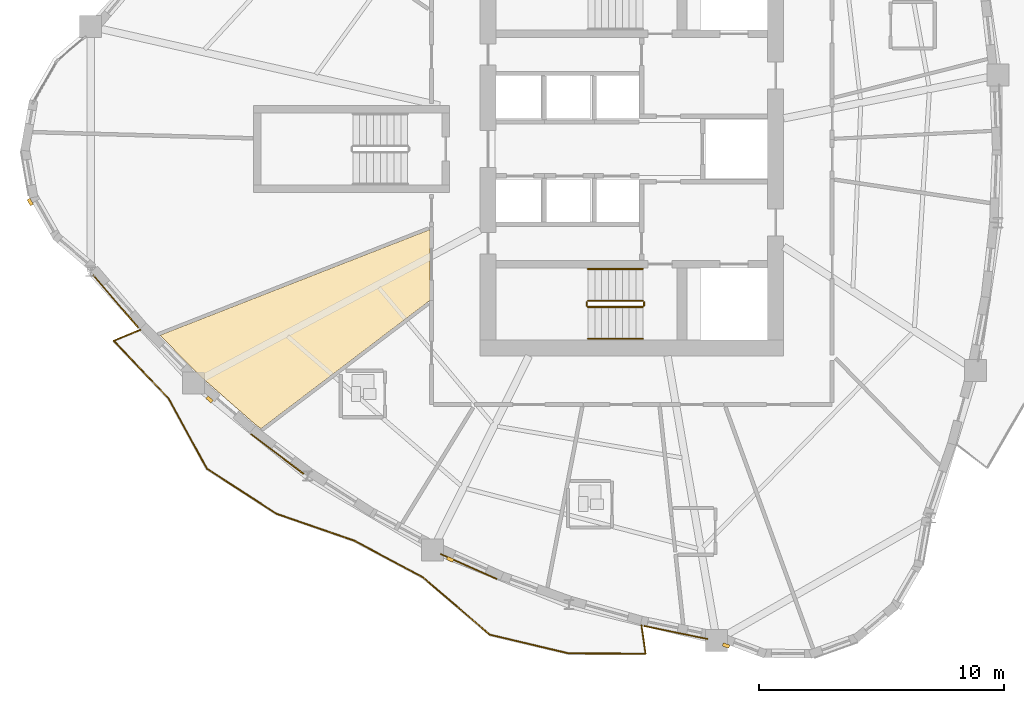
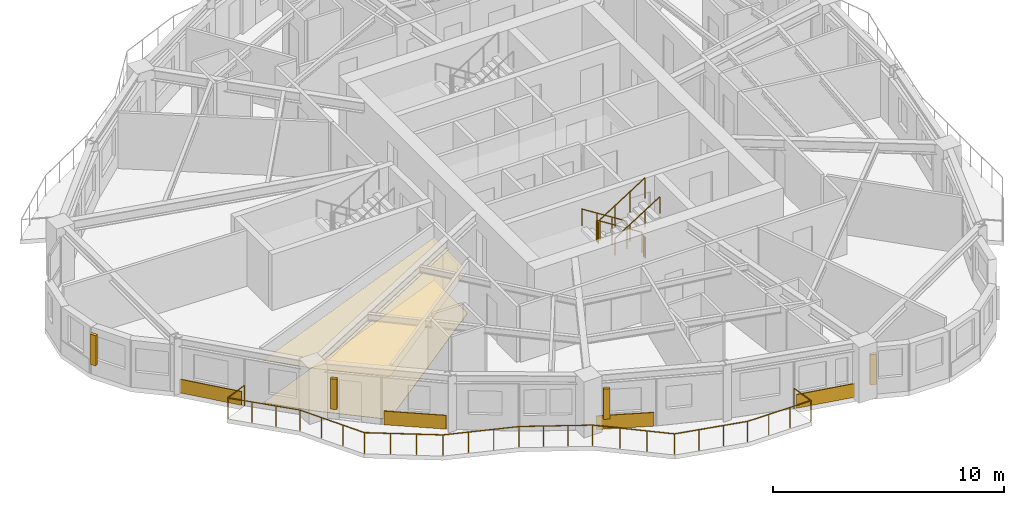
# One storey, part 11 of 14: 7 railings, 6 coverings, 4 shading devices.
"""IFC4 building model written with IfcOpenShell, lengths in metres."""

from ifc_helpers import new_model, si_unit, direction, frame, origin, origin_2d, place, context, subcontext, project, spatial, polyline, rectangle, circle, outline, extrude, source, transform, mapped, material, layer, layer_set, type_object, element, save


model = new_model("IFC4")

# Units and contexts
model_context = context("Model", 3, precision=1e-05, world=origin(), true_north=direction((0.0, 1.0)))
body_context = subcontext(model_context, "Body", "Model", "MODEL_VIEW")
ifc_project = project(units=[si_unit("LENGTHUNIT", "METRE"), si_unit("AREAUNIT", "SQUARE_METRE"), si_unit("VOLUMEUNIT", "CUBIC_METRE"), si_unit("PLANEANGLEUNIT", "RADIAN"), si_unit("MASSUNIT", "GRAM", prefix="KILO")], contexts=[model_context])

# Site, building, storey
site_placement = place(None, origin())
site = spatial("IfcSite", under=ifc_project, at=site_placement, CompositionType="ELEMENT")
building_placement = place(site_placement, origin())
building = spatial("IfcBuilding", under=site, at=building_placement, Name="Qafzar Sky-Pleat Residences", CompositionType="ELEMENT")
storey_placement = place(building_placement, frame((0.0, 0.0, 73.60009765625)))
storey = spatial("IfcBuildingStorey", under=building, at=storey_placement, Name="L21", CompositionType="ELEMENT", Elevation=73.60009765625)

# Coverings
ifc_material_1 = material(Name="Perforated acoustic gypsum board ceiling")
ifc_layer_1 = layer(ifc_material_1, 0.02001953125)
ifc_layer_set_1 = layer_set([ifc_layer_1], Name="Perforated acoustic gypsum board ceiling")
covering_type_1 = type_object("IfcCoveringType", Name="COV-CEIL-ACOUSTIC", PredefinedType="CEILING", material=ifc_layer_set_1)
covering_1_placement = place(storey_placement, frame((0.0, 0.0, 2.239990234375)))
element("IfcCovering", 1, at=covering_1_placement, inside=storey, type_object=covering_type_1, Name="L21 Common Dining Room Acoustic Ceiling", PredefinedType="CEILING", context=body_context, shape_type="SweptSolid", body=[
    extrude(outline(polyline([(14.973876953125, 14.75439453125), (12.726318359375, 16.727294921875), (11.08349609375, 18.393798828125), (22.110107421875, 22.710205078125), (22.110107421875, 19.818603515625), (15.2080078125, 14.57763671875), (14.973876953125, 14.75439453125)])), origin(), (0.0, 0.0, 1.0), 0.02001953125),
])
ifc_material_2 = material(Name="Honed porcelain and Riyadh stone tile flooring", Category="masonry")
ifc_layer_2 = layer(ifc_material_2, 0.02001953125)
ifc_layer_set_2 = layer_set([ifc_layer_2], Name="Honed porcelain and Riyadh stone tile flooring")
covering_type_2 = type_object("IfcCoveringType", Name="COV-FLR-PORCELAIN", PredefinedType="FLOORING", material=ifc_layer_set_2)
covering_2_placement = place(storey_placement, origin())
element("IfcCovering", 2, at=covering_2_placement, inside=storey, type_object=covering_type_2, Name="L21 Common Dining Room Honed Stone Flooring", PredefinedType="FLOORING", context=body_context, shape_type="SweptSolid", body=[
    extrude(outline(polyline([(14.973876953125, 14.75439453125), (12.726318359375, 16.727294921875), (11.08349609375, 18.393798828125), (22.110107421875, 22.710205078125), (22.110107421875, 19.818603515625), (15.2080078125, 14.57763671875), (14.973876953125, 14.75439453125)])), origin(), (0.0, 0.0, 1.0), 0.02001953125),
])

# Shading devices
ifc_material_3 = material(Name="Honed Riyadh limestone solar fin", Category="masonry")
ifc_layer_3 = layer(ifc_material_3, 0.139892578125)
ifc_layer_set_3 = layer_set([ifc_layer_3], Name="Honed Riyadh limestone solar fin")
shading_device_type = type_object("IfcShadingDeviceType", Name="SHD-FIN-STONE", PredefinedType="SHUTTER", material=ifc_layer_set_3)
shared_shape_1 = source(origin(), body_context, "Body", "SweptSolid", [
    extrude(rectangle(XDim=0.139892578125, YDim=0.280029296875, at=origin_2d()), origin(), (0.0, 0.0, 1.0), 1.60009765625),
])
for number, where, z_axis, x_axis, name in (
    (3, (5.78466796875, 23.83251953125, 0.599853515625), (0.0, 0.0, 1.0), (-0.868289358176, -0.49605805152, 0.0), "L21 Limestone Solar Fin 5"),
    (4, (13.108642578125, 15.77294921875, 0.599853515625), (0.0, 0.0, 1.0), (-0.659704031974, -0.751525508681, 0.0), "L21 Limestone Solar Fin 9"),
    (5, (22.9345703125, 9.24169921875, 0.599853515625), (0.0, 0.0, 1.0), (-0.406986553013, -0.913434149606, 0.0), "L21 Limestone Solar Fin 13"),
    (6, (34.197509765625, 5.724365234375, 0.599853515625), (0.0, 0.0, 1.0), (-0.349795816618, -0.936825963921, 0.0), "L21 Limestone Solar Fin 17"),
):
    element("IfcShadingDevice", number, at=place(storey_placement, frame(where, z_axis=z_axis, x_axis=x_axis)), inside=storey, type_object=shading_device_type, Name=name, PredefinedType="SHUTTER", context=body_context, shape_type="MappedRepresentation", body=[
        mapped(shared_shape_1, transform((0.0, 0.0, 0.0), x_axis=(1.0, 0.0, 0.0), y_axis=(0.0, 1.0, 0.0), z_axis=(0.0, 0.0, 1.0), scale=1.0)),
    ])

# Railing
ifc_material_4 = material(Name="Laminated glass and bronze steel balustrade", Category="steel")
railing_type_1 = type_object("IfcRailingType", Name="RAIL-BAL-1100", PredefinedType="BALUSTRADE", material=ifc_material_4)
shared_shape_2 = source(origin(), body_context, "Body", "SweptSolid", [
    extrude(circle(Radius=0.02392578125, at=origin_2d()), frame((0.0, 0.0, 1.076171875), z_axis=(-0.923064659651, -0.384644815517, 0.0), x_axis=(0.384644815517, -0.923064659651, 0.0)), (0.0, 0.0, 1.0), 1.177978515625),
    extrude(circle(Radius=0.02392578125, at=origin_2d()), frame((-1.08740234375, -0.453125, 1.076171875), z_axis=(0.689608250785, -0.724182615402, 0.0), x_axis=(0.724182615402, 0.689608250785, 0.0)), (0.0, 0.0, 1.0), 3.248291015625),
    extrude(circle(Radius=0.02392578125, at=origin_2d()), frame((1.152587890625, -2.805419921875, 1.076171875), z_axis=(0.478139425379, -0.878283946055, 0.0), x_axis=(0.878283946055, 0.478139425379, 0.0)), (0.0, 0.0, 1.0), 3.264892578125),
    extrude(circle(Radius=0.02392578125, at=origin_2d()), frame((2.713623046875, -5.6728515625, 1.076171875), z_axis=(0.839786399163, -0.542916940038, 0.0), x_axis=(0.542916940038, 0.839786399163, 0.0)), (0.0, 0.0, 1.0), 3.3916015625),
    extrude(circle(Radius=0.02392578125, at=origin_2d()), frame((5.561767578125, -7.51416015625, 1.076171875), z_axis=(0.944911742668, -0.327325218349, 0.0), x_axis=(0.327325218349, 0.944911742668, 0.0)), (0.0, 0.0, 1.0), 3.359375),
    extrude(circle(Radius=0.02392578125, at=origin_2d()), frame((8.736083984375, -8.61376953125, 1.076171875), z_axis=(0.882214448955, -0.470847816237, 0.0), x_axis=(0.470847816237, 0.882214448955, 0.0)), (0.0, 0.0, 1.0), 3.1728515625),
    extrude(circle(Radius=0.02392578125, at=origin_2d()), frame((11.53515625, -10.107666015625, 1.076171875), z_axis=(0.759314052168, -0.650724342698, 0.0), x_axis=(0.650724342698, 0.759314052168, 0.0)), (0.0, 0.0, 1.0), 3.599609375),
    extrude(circle(Radius=0.02392578125, at=origin_2d()), frame((14.268310546875, -12.449951171875, 1.076171875), z_axis=(0.972967941431, -0.230940219424, 0.0), x_axis=(0.230940219424, 0.972967941431, 0.0)), (0.0, 0.0, 1.0), 3.29931640625),
    extrude(circle(Radius=0.02392578125, at=origin_2d()), frame((17.478515625, -13.2119140625, 1.076171875), z_axis=(0.999988425304, -0.004811367559, 0.0), x_axis=(0.004811367559, 0.999988425304, 0.0)), (0.0, 0.0, 1.0), 3.14599609375),
    extrude(circle(Radius=0.02392578125, at=origin_2d()), frame((20.62451171875, -13.22705078125, 1.076171875), z_axis=(-0.139912212817, 0.990163912039, 0.0), x_axis=(-0.990163912039, -0.139912212817, 0.0)), (0.0, 0.0, 1.0), 1.177734375),
    extrude(circle(Radius=0.02099609375, at=origin_2d()), origin(), (0.0, 0.0, 1.0), 1.052001953125),
    extrude(circle(Radius=0.02099609375, at=origin_2d()), frame((-1.08740234375, -0.453125, 0.0)), (0.0, 0.0, 1.0), 1.052001953125),
    extrude(circle(Radius=0.02099609375, at=origin_2d()), frame((-0.3408203125, -1.2373046875, 0.0)), (0.0, 0.0, 1.0), 1.052001953125),
    extrude(circle(Radius=0.02099609375, at=origin_2d()), frame((0.406005859375, -2.021240234375, 0.0)), (0.0, 0.0, 1.0), 1.052001953125),
    extrude(circle(Radius=0.02099609375, at=origin_2d()), frame((1.152587890625, -2.805419921875, 0.0)), (0.0, 0.0, 1.0), 1.052001953125),
    extrude(circle(Radius=0.02099609375, at=origin_2d()), frame((1.6728515625, -3.76123046875, 0.0)), (0.0, 0.0, 1.0), 1.052001953125),
    extrude(circle(Radius=0.02099609375, at=origin_2d()), frame((2.193359375, -4.717041015625, 0.0)), (0.0, 0.0, 1.0), 1.052001953125),
    extrude(circle(Radius=0.02099609375, at=origin_2d()), frame((2.713623046875, -5.6728515625, 0.0)), (0.0, 0.0, 1.0), 1.052001953125),
    extrude(circle(Radius=0.02099609375, at=origin_2d()), frame((3.6630859375, -6.28662109375, 0.0)), (0.0, 0.0, 1.0), 1.052001953125),
    extrude(circle(Radius=0.02099609375, at=origin_2d()), frame((4.6123046875, -6.900390625, 0.0)), (0.0, 0.0, 1.0), 1.052001953125),
    extrude(circle(Radius=0.02099609375, at=origin_2d()), frame((5.561767578125, -7.51416015625, 0.0)), (0.0, 0.0, 1.0), 1.052001953125),
    extrude(circle(Radius=0.02099609375, at=origin_2d()), frame((6.619873046875, -7.880615234375, 0.0)), (0.0, 0.0, 1.0), 1.052001953125),
    extrude(circle(Radius=0.02099609375, at=origin_2d()), frame((7.677978515625, -8.247314453125, 0.0)), (0.0, 0.0, 1.0), 1.052001953125),
    extrude(circle(Radius=0.02099609375, at=origin_2d()), frame((8.736083984375, -8.61376953125, 0.0)), (0.0, 0.0, 1.0), 1.052001953125),
    extrude(circle(Radius=0.02099609375, at=origin_2d()), frame((9.669189453125, -9.11181640625, 0.0)), (0.0, 0.0, 1.0), 1.052001953125),
    extrude(circle(Radius=0.02099609375, at=origin_2d()), frame((10.60205078125, -9.609619140625, 0.0)), (0.0, 0.0, 1.0), 1.052001953125),
    extrude(circle(Radius=0.02099609375, at=origin_2d()), frame((11.53515625, -10.107666015625, 0.0)), (0.0, 0.0, 1.0), 1.052001953125),
    extrude(circle(Radius=0.02099609375, at=origin_2d()), frame((12.4462890625, -10.888427734375, 0.0)), (0.0, 0.0, 1.0), 1.052001953125),
    extrude(circle(Radius=0.02099609375, at=origin_2d()), frame((13.357177734375, -11.669189453125, 0.0)), (0.0, 0.0, 1.0), 1.052001953125),
    extrude(circle(Radius=0.02099609375, at=origin_2d()), frame((14.268310546875, -12.449951171875, 0.0)), (0.0, 0.0, 1.0), 1.052001953125),
    extrude(circle(Radius=0.02099609375, at=origin_2d()), frame((15.33837890625, -12.703857421875, 0.0)), (0.0, 0.0, 1.0), 1.052001953125),
    extrude(circle(Radius=0.02099609375, at=origin_2d()), frame((16.408447265625, -12.9580078125, 0.0)), (0.0, 0.0, 1.0), 1.052001953125),
    extrude(circle(Radius=0.02099609375, at=origin_2d()), frame((17.478515625, -13.2119140625, 0.0)), (0.0, 0.0, 1.0), 1.052001953125),
    extrude(circle(Radius=0.02099609375, at=origin_2d()), frame((18.527099609375, -13.217041015625, 0.0)), (0.0, 0.0, 1.0), 1.052001953125),
    extrude(circle(Radius=0.02099609375, at=origin_2d()), frame((19.575927734375, -13.221923828125, 0.0)), (0.0, 0.0, 1.0), 1.052001953125),
    extrude(circle(Radius=0.02099609375, at=origin_2d()), frame((20.62451171875, -13.22705078125, 0.0)), (0.0, 0.0, 1.0), 1.052001953125),
    extrude(circle(Radius=0.02099609375, at=origin_2d()), frame((20.459716796875, -12.060791015625, 0.0)), (0.0, 0.0, 1.0), 1.052001953125),
])
railing_1_placement = place(storey_placement, frame((10.285400390625, 18.6181640625, 0.0)))
element("IfcRailing", 7, at=railing_1_placement, inside=storey, type_object=railing_type_1, Name="L21 Pleated Balcony 3 Balustrade", PredefinedType="BALUSTRADE", context=body_context, shape_type="MappedRepresentation", body=[
    mapped(shared_shape_2, transform((0.0, 0.0, 0.0), x_axis=(1.0, 0.0, 0.0), y_axis=(0.0, 1.0, 0.0), z_axis=(0.0, 0.0, 1.0), scale=1.0)),
])

# Coverings
ifc_material_5 = material(Name="Honed Riyadh Tuwaiq limestone cladding", Category="masonry")
ifc_layer_4 = layer(ifc_material_5, 0.044921875)
ifc_layer_set_4 = layer_set([ifc_layer_4], Name="Honed Riyadh Tuwaiq limestone cladding")
covering_type_3 = type_object("IfcCoveringType", Name="COV-CLAD-STONE", PredefinedType="CLADDING", material=ifc_layer_set_4)
shared_shape_3 = source(origin(), body_context, "Body", "SweptSolid", [
    extrude(rectangle(XDim=2.83837890625, YDim=0.044921875, at=origin_2d()), origin(), (0.0, 0.0, 1.0), 0.719970703125),
])
covering_3_placement = place(storey_placement, frame((9.2783203125, 19.776611328125, 0.02001953125), z_axis=(0.0, 0.0, 1.0), x_axis=(0.65076787103, -0.759276746671, 0.0)))
element("IfcCovering", 8, at=covering_3_placement, inside=storey, type_object=covering_type_3, Name="L21 Riyadh Limestone Spandrel Cladding 7", PredefinedType="CLADDING", context=body_context, shape_type="MappedRepresentation", body=[
    mapped(shared_shape_3, transform((0.0, 0.0, 0.0), x_axis=(1.0, 0.0, 0.0), y_axis=(0.0, 1.0, 0.0), z_axis=(0.0, 0.0, 1.0), scale=1.0)),
])
shared_shape_4 = source(origin(), body_context, "Body", "SweptSolid", [
    extrude(rectangle(XDim=2.70361328125, YDim=0.044921875, at=origin_2d()), origin(), (0.0, 0.0, 1.0), 0.719970703125),
])
covering_4_placement = place(storey_placement, frame((15.876708984375, 13.544921875, 0.02001953125), z_axis=(0.0, 0.0, 1.0), x_axis=(0.798395365386, -0.602133573661, 0.0)))
element("IfcCovering", 9, at=covering_4_placement, inside=storey, type_object=covering_type_3, Name="L21 Riyadh Limestone Spandrel Cladding 10", PredefinedType="CLADDING", context=body_context, shape_type="MappedRepresentation", body=[
    mapped(shared_shape_4, transform((0.0, 0.0, 0.0), x_axis=(1.0, 0.0, 0.0), y_axis=(0.0, 1.0, 0.0), z_axis=(0.0, 0.0, 1.0), scale=1.0)),
])
shared_shape_5 = source(origin(), body_context, "Body", "SweptSolid", [
    extrude(rectangle(XDim=2.519287109375, YDim=0.044921875, at=origin_2d()), origin(), (0.0, 0.0, 1.0), 0.719970703125),
])
covering_5_placement = place(storey_placement, frame((23.69189453125, 8.951416015625, 0.02001953125), z_axis=(0.0, 0.0, 1.0), x_axis=(0.913434009373, -0.406986867749, 0.0)))
element("IfcCovering", 10, at=covering_5_placement, inside=storey, type_object=covering_type_3, Name="L21 Riyadh Limestone Spandrel Cladding 13", PredefinedType="CLADDING", context=body_context, shape_type="MappedRepresentation", body=[
    mapped(shared_shape_5, transform((0.0, 0.0, 0.0), x_axis=(1.0, 0.0, 0.0), y_axis=(0.0, 1.0, 0.0), z_axis=(0.0, 0.0, 1.0), scale=1.0)),
])
shared_shape_6 = source(origin(), body_context, "Body", "SweptSolid", [
    extrude(rectangle(XDim=2.65380859375, YDim=0.044921875, at=origin_2d()), origin(), (0.0, 0.0, 1.0), 0.719970703125),
])
covering_6_placement = place(storey_placement, frame((32.145751953125, 6.258056640625, 0.02001953125), z_axis=(0.0, 0.0, 1.0), x_axis=(0.979436154863, -0.201754351992, 0.0)))
element("IfcCovering", 11, at=covering_6_placement, inside=storey, type_object=covering_type_3, Name="L21 Riyadh Limestone Spandrel Cladding 16", PredefinedType="CLADDING", context=body_context, shape_type="MappedRepresentation", body=[
    mapped(shared_shape_6, transform((0.0, 0.0, 0.0), x_axis=(1.0, 0.0, 0.0), y_axis=(0.0, 1.0, 0.0), z_axis=(0.0, 0.0, 1.0), scale=1.0)),
])

# Railings
ifc_material_6 = material(Name="Painted Steel S355 stair guardrail", Category="steel")
railing_type_2 = type_object("IfcRailingType", Name="RAIL-STAIR-GUARD", PredefinedType="GUARDRAIL", material=ifc_material_6)
shared_shape_7 = source(origin(), body_context, "Body", "SweptSolid", [
    extrude(circle(Radius=0.02392578125, at=origin_2d()), frame((0.0, 0.0, 1.076171875), z_axis=(0.0, -1.0, 0.0), x_axis=(1.0, 0.0, 0.0)), (0.0, 0.0, 1.0), 0.14990234375),
    extrude(circle(Radius=0.02099609375, at=origin_2d()), origin(), (0.0, 0.0, 1.0), 1.052001953125),
    extrude(circle(Radius=0.02099609375, at=origin_2d()), frame((0.0, -0.14990234375, 0.0)), (0.0, 0.0, 1.0), 1.052001953125),
])
for number, where, name in (
    (12, (28.510009765625, 19.75, 1.599853515625), "L21 ST1 stair guard 2"),
    (13, (30.85009765625, 19.75, 0.0), "L21 ST1 stair guard 4"),
):
    element("IfcRailing", number, at=place(storey_placement, frame(where)), inside=storey, type_object=railing_type_2, Name=name, PredefinedType="GUARDRAIL", context=body_context, shape_type="MappedRepresentation", body=[
        mapped(shared_shape_7, transform((0.0, 0.0, 0.0), x_axis=(1.0, 0.0, 0.0), y_axis=(0.0, 1.0, 0.0), z_axis=(0.0, 0.0, 1.0), scale=1.0)),
    ])
shared_shape_8 = source(origin(), body_context, "Body", "SweptSolid", [
    extrude(circle(Radius=0.02392578125, at=origin_2d()), frame((0.0, 0.0, 1.076171875), z_axis=(-0.8442293374, 0.0, 0.53598211339), x_axis=(0.0, -1.0, 0.0)), (0.0, 0.0, 1.0), 2.6533203125),
    extrude(circle(Radius=0.02099609375, at=origin_2d()), origin(), (0.0, 0.0, 1.0), 1.052001953125),
    extrude(circle(Radius=0.02099609375, at=origin_2d()), frame((-0.74658203125, 0.0, 0.47412109375)), (0.0, 0.0, 1.0), 1.052001953125),
    extrude(circle(Radius=0.02099609375, at=origin_2d()), frame((-1.493408203125, 0.0, 0.947998046875)), (0.0, 0.0, 1.0), 1.052001953125),
    extrude(circle(Radius=0.02099609375, at=origin_2d()), frame((-2.239990234375, 0.0, 1.422119140625)), (0.0, 0.0, 1.0), 1.052001953125),
])
railing_2_placement = place(storey_placement, frame((30.800048828125, 19.800048828125, 0.177734375)))
element("IfcRailing", 14, at=railing_2_placement, inside=storey, type_object=railing_type_2, Name="L21 ST1 stair guard 1", PredefinedType="GUARDRAIL", context=body_context, shape_type="MappedRepresentation", body=[
    mapped(shared_shape_8, transform((0.0, 0.0, 0.0), x_axis=(1.0, 0.0, 0.0), y_axis=(0.0, 1.0, 0.0), z_axis=(0.0, 0.0, 1.0), scale=1.0)),
])
ifc_material_7 = material(Name="Brushed stainless steel handrail", Category="steel")
railing_type_3 = type_object("IfcRailingType", Name="RAIL-STAIR-HAND", PredefinedType="HANDRAIL", material=ifc_material_7)
shared_shape_9 = source(origin(), body_context, "Body", "SweptSolid", [
    extrude(circle(Radius=0.02392578125, at=origin_2d()), frame((0.0, 0.0, 0.8759765625), z_axis=(-0.8442293374, 0.0, 0.53598211339), x_axis=(0.0, -1.0, 0.0)), (0.0, 0.0, 1.0), 2.6533203125),
    extrude(circle(Radius=0.02099609375, at=origin_2d()), origin(), (0.0, 0.0, 1.0), 0.851806640625),
    extrude(circle(Radius=0.02099609375, at=origin_2d()), frame((-0.74658203125, 0.0, 0.47412109375)), (0.0, 0.0, 1.0), 0.851806640625),
    extrude(circle(Radius=0.02099609375, at=origin_2d()), frame((-1.493408203125, 0.0, 0.947998046875)), (0.0, 0.0, 1.0), 0.851806640625),
    extrude(circle(Radius=0.02099609375, at=origin_2d()), frame((-2.239990234375, 0.0, 1.422119140625)), (0.0, 0.0, 1.0), 0.851806640625),
])
railing_3_placement = place(storey_placement, frame((30.800048828125, 21.10009765625, 0.177734375)))
element("IfcRailing", 15, at=railing_3_placement, inside=storey, type_object=railing_type_3, Name="L21 ST1 stair handrail 1", PredefinedType="HANDRAIL", context=body_context, shape_type="MappedRepresentation", body=[
    mapped(shared_shape_9, transform((0.0, 0.0, 0.0), x_axis=(1.0, 0.0, 0.0), y_axis=(0.0, 1.0, 0.0), z_axis=(0.0, 0.0, 1.0), scale=1.0)),
])
shared_shape_10 = source(origin(), body_context, "Body", "SweptSolid", [
    extrude(circle(Radius=0.02392578125, at=origin_2d()), frame((0.0, 0.0, 1.076171875), z_axis=(0.84418770128, 0.0, 0.536047689118), x_axis=(0.0, 1.0, 0.0)), (0.0, 0.0, 1.0), 2.6533203125),
    extrude(circle(Radius=0.02099609375, at=origin_2d()), origin(), (0.0, 0.0, 1.0), 1.052001953125),
    extrude(circle(Radius=0.02099609375, at=origin_2d()), frame((0.74658203125, 0.0, 0.47412109375)), (0.0, 0.0, 1.0), 1.052001953125),
    extrude(circle(Radius=0.02099609375, at=origin_2d()), frame((1.493408203125, 0.0, 0.9482421875)), (0.0, 0.0, 1.0), 1.052001953125),
    extrude(circle(Radius=0.02099609375, at=origin_2d()), frame((2.239990234375, 0.0, 1.42236328125)), (0.0, 0.0, 1.0), 1.052001953125),
])
railing_4_placement = place(storey_placement, frame((28.56005859375, 19.550048828125, 1.777587890625)))
element("IfcRailing", 16, at=railing_4_placement, inside=storey, type_object=railing_type_2, Name="L21 ST1 stair guard 3", PredefinedType="GUARDRAIL", context=body_context, shape_type="MappedRepresentation", body=[
    mapped(shared_shape_10, transform((0.0, 0.0, 0.0), x_axis=(1.0, 0.0, 0.0), y_axis=(0.0, 1.0, 0.0), z_axis=(0.0, 0.0, 1.0), scale=1.0)),
])
shared_shape_11 = source(origin(), body_context, "Body", "SweptSolid", [
    extrude(circle(Radius=0.02392578125, at=origin_2d()), frame((0.0, 0.0, 0.8759765625), z_axis=(0.84418770128, 0.0, 0.536047689118), x_axis=(0.0, 1.0, 0.0)), (0.0, 0.0, 1.0), 2.6533203125),
    extrude(circle(Radius=0.02099609375, at=origin_2d()), origin(), (0.0, 0.0, 1.0), 0.851806640625),
    extrude(circle(Radius=0.02099609375, at=origin_2d()), frame((0.74658203125, 0.0, 0.47412109375)), (0.0, 0.0, 1.0), 0.851806640625),
    extrude(circle(Radius=0.02099609375, at=origin_2d()), frame((1.493408203125, 0.0, 0.9482421875)), (0.0, 0.0, 1.0), 0.851806640625),
    extrude(circle(Radius=0.02099609375, at=origin_2d()), frame((2.239990234375, 0.0, 1.42236328125)), (0.0, 0.0, 1.0), 0.851806640625),
])
railing_5_placement = place(storey_placement, frame((28.56005859375, 18.25, 1.777587890625)))
element("IfcRailing", 17, at=railing_5_placement, inside=storey, type_object=railing_type_3, Name="L21 ST1 stair handrail 2", PredefinedType="HANDRAIL", context=body_context, shape_type="MappedRepresentation", body=[
    mapped(shared_shape_11, transform((0.0, 0.0, 0.0), x_axis=(1.0, 0.0, 0.0), y_axis=(0.0, 1.0, 0.0), z_axis=(0.0, 0.0, 1.0), scale=1.0)),
])

save(model, "model.ifc")
